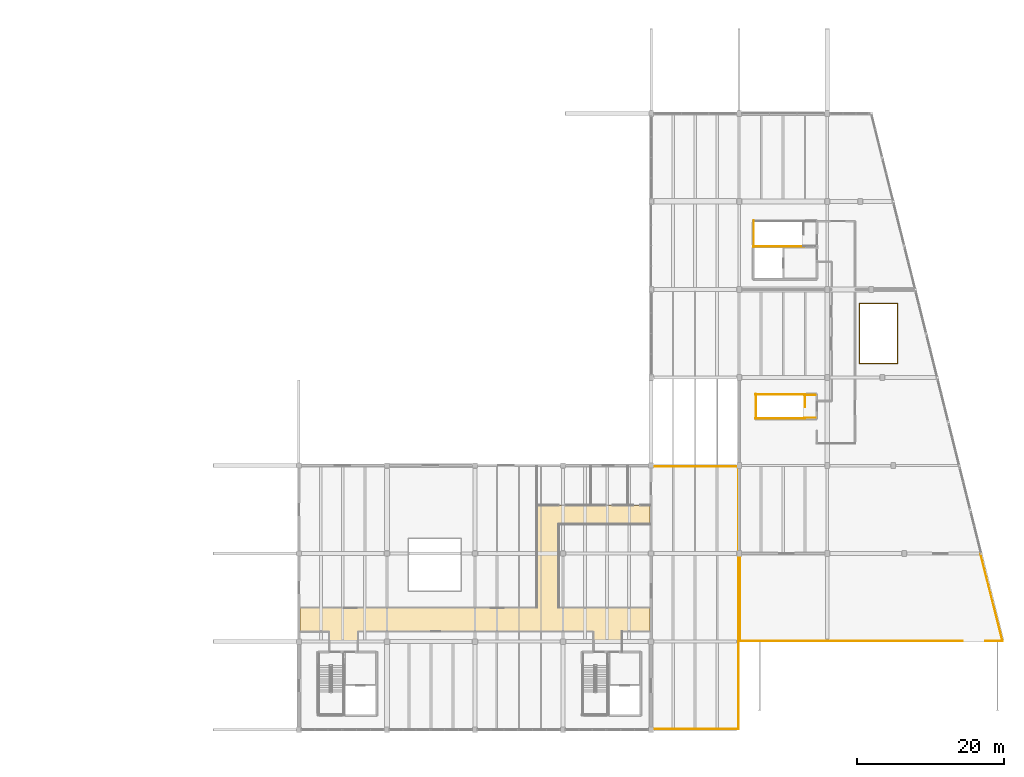
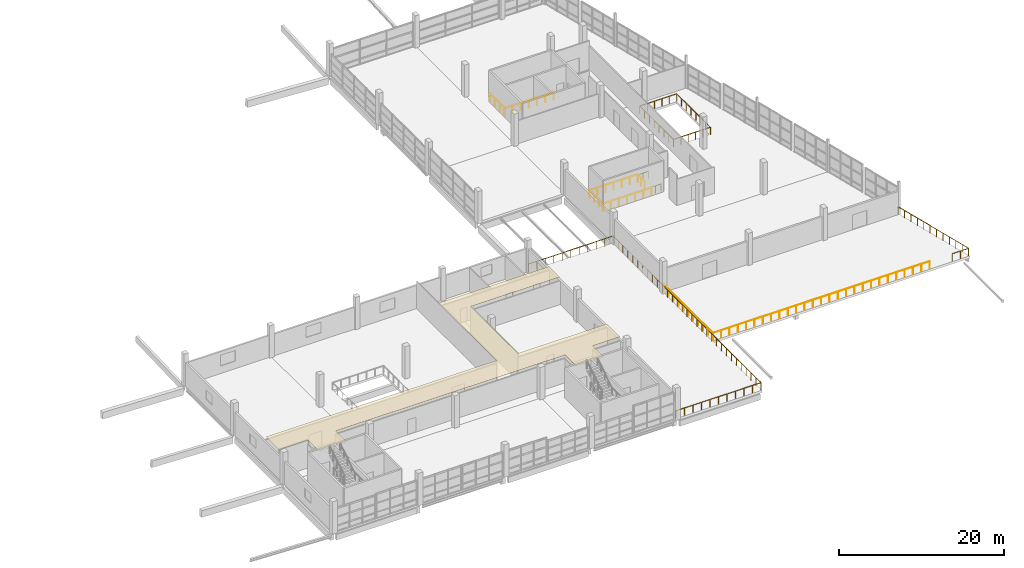
# One storey, part 48 of 49: 12 railings, 1 covering.
"""IFC4 building model written with IfcOpenShell, lengths in metres."""

from ifc_helpers import new_model, si_unit, direction, frame, origin, origin_2d, place, context, subcontext, project, spatial, polyline, circle, outline, extrude, material, layer, layer_set, type_object, element, save


model = new_model("IFC4")

# Units and contexts
model_context = context("Model", 3, precision=1e-05, world=origin(), true_north=direction((0.0, 1.0)))
body_context = subcontext(model_context, "Body", "Model", "MODEL_VIEW")
ifc_project = project(units=[si_unit("LENGTHUNIT", "METRE"), si_unit("AREAUNIT", "SQUARE_METRE"), si_unit("VOLUMEUNIT", "CUBIC_METRE"), si_unit("PLANEANGLEUNIT", "RADIAN"), si_unit("MASSUNIT", "GRAM", prefix="KILO")], contexts=[model_context])

# Site, building, storey
site_placement = place(None, origin())
site = spatial("IfcSite", under=ifc_project, at=site_placement, CompositionType="ELEMENT")
building_placement = place(site_placement, origin())
building = spatial("IfcBuilding", under=site, at=building_placement, Name="Kamomehara Wholesale Market", CompositionType="ELEMENT")
storey_placement = place(building_placement, frame((0.0, 0.0, 11.39990234375)))
storey = spatial("IfcBuildingStorey", under=building, at=storey_placement, Name="L02", CompositionType="ELEMENT", Elevation=11.39990234375)

# Covering
ifc_material_1 = material(Name="Acoustic mineral ceiling tile")
ifc_layer = layer(ifc_material_1, 0.034912109375)
ifc_layer_set = layer_set([ifc_layer], Name="Acoustic mineral ceiling tile")
covering_type = type_object("IfcCoveringType", Name="COV-CEIL-02", PredefinedType="CEILING", material=ifc_layer_set)
covering_placement = place(storey_placement, frame((0.0, 0.0, 4.0)))
element("IfcCovering", 1, at=covering_placement, inside=storey, type_object=covering_type, Name="Acoustic ceiling L02-04", PredefinedType="CEILING", context=body_context, shape_type="SweptSolid", body=[
    extrude(outline(polyline([(148.157958984375, 25.406005859375), (148.156982421875, 25.406982421875), (148.156005859375, 25.407958984375), (148.156005859375, 25.407958984375), (148.155029296875, 25.408935546875), (148.154052734375, 25.408935546875), (148.153076171875, 25.409912109375), (148.152099609375, 25.409912109375), (148.15087890625, 25.409912109375), (148.14990234375, 25.409912109375), (116.050048828125, 25.409912109375), (116.049072265625, 25.409912109375), (116.048095703125, 25.409912109375), (116.047119140625, 25.409912109375), (116.0458984375, 25.408935546875), (116.044921875, 25.408935546875), (116.0439453125, 25.407958984375), (116.0439453125, 25.407958984375), (116.04296875, 25.406982421875), (116.0419921875, 25.406005859375), (116.0419921875, 25.406005859375), (116.041015625, 25.405029296875), (116.041015625, 25.404052734375), (116.0400390625, 25.403076171875), (116.0400390625, 25.402099609375), (116.0400390625, 25.40087890625), (116.0400390625, 25.39990234375), (116.0400390625, 22.739990234375), (112.159912109375, 22.739990234375), (112.159912109375, 25.39990234375), (112.159912109375, 25.40087890625), (112.159912109375, 25.402099609375), (112.159912109375, 25.403076171875), (112.158935546875, 25.404052734375), (112.158935546875, 25.405029296875), (112.157958984375, 25.406005859375), (112.157958984375, 25.406005859375), (112.156982421875, 25.406982421875), (112.156005859375, 25.407958984375), (112.156005859375, 25.407958984375), (112.155029296875, 25.408935546875), (112.154052734375, 25.408935546875), (112.153076171875, 25.409912109375), (112.152099609375, 25.409912109375), (112.15087890625, 25.409912109375), (112.14990234375, 25.409912109375), (108.1298828125, 25.409912109375), (108.1298828125, 28.590087890625), (140.39990234375, 28.590087890625), (140.40087890625, 28.590087890625), (140.402099609375, 28.590087890625), (140.403076171875, 28.590087890625), (140.404052734375, 28.591064453125), (140.405029296875, 28.591064453125), (140.406005859375, 28.592041015625), (140.406005859375, 28.592041015625), (140.406982421875, 28.593017578125), (140.407958984375, 28.593994140625), (140.407958984375, 28.593994140625), (140.408935546875, 28.594970703125), (140.408935546875, 28.595947265625), (140.409912109375, 28.596923828125), (140.409912109375, 28.597900390625), (140.409912109375, 28.59912109375), (140.409912109375, 28.60009765625), (140.409912109375, 42.590087890625), (155.8701171875, 42.590087890625), (155.8701171875, 40.010009765625), (143.39990234375, 40.010009765625), (143.39892578125, 40.010009765625), (143.39794921875, 40.010009765625), (143.39697265625, 40.010009765625), (143.39599609375, 40.009033203125), (143.39501953125, 40.009033203125), (143.39404296875, 40.008056640625), (143.39404296875, 40.008056640625), (143.39306640625, 40.007080078125), (143.39208984375, 40.006103515625), (143.39208984375, 40.006103515625), (143.39111328125, 40.0048828125), (143.39111328125, 40.00390625), (143.389892578125, 40.0029296875), (143.389892578125, 40.001953125), (143.389892578125, 40.0009765625), (143.389892578125, 40.0), (143.389892578125, 28.60009765625), (143.389892578125, 28.59912109375), (143.389892578125, 28.597900390625), (143.389892578125, 28.596923828125), (143.39111328125, 28.595947265625), (143.39111328125, 28.594970703125), (143.39208984375, 28.593994140625), (143.39208984375, 28.593994140625), (143.39306640625, 28.593017578125), (143.39404296875, 28.592041015625), (143.39404296875, 28.592041015625), (143.39501953125, 28.591064453125), (143.39599609375, 28.591064453125), (143.39697265625, 28.590087890625), (143.39794921875, 28.590087890625), (143.39892578125, 28.590087890625), (143.39990234375, 28.590087890625), (155.8701171875, 28.590087890625), (155.8701171875, 25.409912109375), (152.050048828125, 25.409912109375), (152.049072265625, 25.409912109375), (152.048095703125, 25.409912109375), (152.047119140625, 25.409912109375), (152.0458984375, 25.408935546875), (152.044921875, 25.408935546875), (152.0439453125, 25.407958984375), (152.0439453125, 25.407958984375), (152.04296875, 25.406982421875), (152.0419921875, 25.406005859375), (152.0419921875, 25.406005859375), (152.041015625, 25.405029296875), (152.041015625, 25.404052734375), (152.0400390625, 25.403076171875), (152.0400390625, 25.402099609375), (152.0400390625, 25.40087890625), (152.0400390625, 25.39990234375), (152.0400390625, 22.739990234375), (148.159912109375, 22.739990234375), (148.159912109375, 25.39990234375), (148.159912109375, 25.40087890625), (148.159912109375, 25.402099609375), (148.159912109375, 25.403076171875), (148.158935546875, 25.404052734375), (148.158935546875, 25.405029296875), (148.157958984375, 25.406005859375), (148.157958984375, 25.406005859375)])), origin(), (0.0, 0.0, 1.0), 0.025146484375),
])

# Railings
ifc_material_2 = material(Name="Steel SN400B", Category="steel")
railing_type_1 = type_object("IfcRailingType", Name="RAL-EXT-1100", PredefinedType="BALUSTRADE", material=ifc_material_2)
railing_1_placement = place(storey_placement, frame((156.0, 12.10009765625, 0.0)))
element("IfcRailing", 2, at=railing_1_placement, inside=storey, type_object=railing_type_1, Name="Terrace guard OSLB-L02-TER2 5", PredefinedType="BALUSTRADE", context=body_context, shape_type="SweptSolid", body=[
    extrude(circle(Radius=0.02392578125, at=origin_2d()), frame((0.0, 0.0, 1.09619140625), z_axis=(1.0, 0.0, 0.0), x_axis=(0.0, 1.0, 0.0)), (0.0, 0.0, 1.0), 11.89990234375),
    extrude(circle(Radius=0.02392578125, at=origin_2d()), frame((11.89990234375, 0.0, 1.09619140625), z_axis=(0.0, 1.0, 0.0), x_axis=(-1.0, 0.0, 0.0)), (0.0, 0.0, 1.0), 35.7998046875),
    extrude(circle(Radius=0.02392578125, at=origin_2d()), frame((11.89990234375, 35.7998046875, 1.09619140625), z_axis=(-1.0, 0.0, 0.0), x_axis=(0.0, -1.0, 0.0)), (0.0, 0.0, 1.0), 11.89990234375),
    extrude(circle(Radius=0.02099609375, at=origin_2d()), origin(), (0.0, 0.0, 1.0), 1.072021484375),
    extrude(circle(Radius=0.02099609375, at=origin_2d()), frame((1.18994140625, 0.0, 0.0)), (0.0, 0.0, 1.0), 1.072021484375),
    extrude(circle(Radius=0.02099609375, at=origin_2d()), frame((2.3798828125, 0.0, 0.0)), (0.0, 0.0, 1.0), 1.072021484375),
    extrude(circle(Radius=0.02099609375, at=origin_2d()), frame((3.570068359375, 0.0, 0.0)), (0.0, 0.0, 1.0), 1.072021484375),
    extrude(circle(Radius=0.02099609375, at=origin_2d()), frame((4.760009765625, 0.0, 0.0)), (0.0, 0.0, 1.0), 1.072021484375),
    extrude(circle(Radius=0.02099609375, at=origin_2d()), frame((5.949951171875, 0.0, 0.0)), (0.0, 0.0, 1.0), 1.072021484375),
    extrude(circle(Radius=0.02099609375, at=origin_2d()), frame((7.139892578125, 0.0, 0.0)), (0.0, 0.0, 1.0), 1.072021484375),
    extrude(circle(Radius=0.02099609375, at=origin_2d()), frame((8.329833984375, 0.0, 0.0)), (0.0, 0.0, 1.0), 1.072021484375),
    extrude(circle(Radius=0.02099609375, at=origin_2d()), frame((9.52001953125, 0.0, 0.0)), (0.0, 0.0, 1.0), 1.072021484375),
    extrude(circle(Radius=0.02099609375, at=origin_2d()), frame((10.7099609375, 0.0, 0.0)), (0.0, 0.0, 1.0), 1.072021484375),
    extrude(circle(Radius=0.02099609375, at=origin_2d()), frame((11.89990234375, 0.0, 0.0)), (0.0, 0.0, 1.0), 1.072021484375),
    extrude(circle(Radius=0.02099609375, at=origin_2d()), frame((11.89990234375, 1.193359375, 0.0)), (0.0, 0.0, 1.0), 1.072021484375),
    extrude(circle(Radius=0.02099609375, at=origin_2d()), frame((11.89990234375, 2.38671875, 0.0)), (0.0, 0.0, 1.0), 1.072021484375),
    extrude(circle(Radius=0.02099609375, at=origin_2d()), frame((11.89990234375, 3.580078125, 0.0)), (0.0, 0.0, 1.0), 1.072021484375),
    extrude(circle(Radius=0.02099609375, at=origin_2d()), frame((11.89990234375, 4.773193359375, 0.0)), (0.0, 0.0, 1.0), 1.072021484375),
    extrude(circle(Radius=0.02099609375, at=origin_2d()), frame((11.89990234375, 5.966552734375, 0.0)), (0.0, 0.0, 1.0), 1.072021484375),
    extrude(circle(Radius=0.02099609375, at=origin_2d()), frame((11.89990234375, 7.159912109375, 0.0)), (0.0, 0.0, 1.0), 1.072021484375),
    extrude(circle(Radius=0.02099609375, at=origin_2d()), frame((11.89990234375, 8.353271484375, 0.0)), (0.0, 0.0, 1.0), 1.072021484375),
    extrude(circle(Radius=0.02099609375, at=origin_2d()), frame((11.89990234375, 9.546630859375, 0.0)), (0.0, 0.0, 1.0), 1.072021484375),
    extrude(circle(Radius=0.02099609375, at=origin_2d()), frame((11.89990234375, 10.739990234375, 0.0)), (0.0, 0.0, 1.0), 1.072021484375),
    extrude(circle(Radius=0.02099609375, at=origin_2d()), frame((11.89990234375, 11.933349609375, 0.0)), (0.0, 0.0, 1.0), 1.072021484375),
    extrude(circle(Radius=0.02099609375, at=origin_2d()), frame((11.89990234375, 13.126708984375, 0.0)), (0.0, 0.0, 1.0), 1.072021484375),
    extrude(circle(Radius=0.02099609375, at=origin_2d()), frame((11.89990234375, 14.31982421875, 0.0)), (0.0, 0.0, 1.0), 1.072021484375),
    extrude(circle(Radius=0.02099609375, at=origin_2d()), frame((11.89990234375, 15.51318359375, 0.0)), (0.0, 0.0, 1.0), 1.072021484375),
    extrude(circle(Radius=0.02099609375, at=origin_2d()), frame((11.89990234375, 16.70654296875, 0.0)), (0.0, 0.0, 1.0), 1.072021484375),
    extrude(circle(Radius=0.02099609375, at=origin_2d()), frame((11.89990234375, 17.89990234375, 0.0)), (0.0, 0.0, 1.0), 1.072021484375),
    extrude(circle(Radius=0.02099609375, at=origin_2d()), frame((11.89990234375, 19.09326171875, 0.0)), (0.0, 0.0, 1.0), 1.072021484375),
    extrude(circle(Radius=0.02099609375, at=origin_2d()), frame((11.89990234375, 20.28662109375, 0.0)), (0.0, 0.0, 1.0), 1.072021484375),
    extrude(circle(Radius=0.02099609375, at=origin_2d()), frame((11.89990234375, 21.47998046875, 0.0)), (0.0, 0.0, 1.0), 1.072021484375),
    extrude(circle(Radius=0.02099609375, at=origin_2d()), frame((11.89990234375, 22.673095703125, 0.0)), (0.0, 0.0, 1.0), 1.072021484375),
    extrude(circle(Radius=0.02099609375, at=origin_2d()), frame((11.89990234375, 23.866455078125, 0.0)), (0.0, 0.0, 1.0), 1.072021484375),
    extrude(circle(Radius=0.02099609375, at=origin_2d()), frame((11.89990234375, 25.059814453125, 0.0)), (0.0, 0.0, 1.0), 1.072021484375),
    extrude(circle(Radius=0.02099609375, at=origin_2d()), frame((11.89990234375, 26.253173828125, 0.0)), (0.0, 0.0, 1.0), 1.072021484375),
    extrude(circle(Radius=0.02099609375, at=origin_2d()), frame((11.89990234375, 27.446533203125, 0.0)), (0.0, 0.0, 1.0), 1.072021484375),
    extrude(circle(Radius=0.02099609375, at=origin_2d()), frame((11.89990234375, 28.639892578125, 0.0)), (0.0, 0.0, 1.0), 1.072021484375),
    extrude(circle(Radius=0.02099609375, at=origin_2d()), frame((11.89990234375, 29.833251953125, 0.0)), (0.0, 0.0, 1.0), 1.072021484375),
    extrude(circle(Radius=0.02099609375, at=origin_2d()), frame((11.89990234375, 31.026611328125, 0.0)), (0.0, 0.0, 1.0), 1.072021484375),
    extrude(circle(Radius=0.02099609375, at=origin_2d()), frame((11.89990234375, 32.2197265625, 0.0)), (0.0, 0.0, 1.0), 1.072021484375),
    extrude(circle(Radius=0.02099609375, at=origin_2d()), frame((11.89990234375, 33.4130859375, 0.0)), (0.0, 0.0, 1.0), 1.072021484375),
    extrude(circle(Radius=0.02099609375, at=origin_2d()), frame((11.89990234375, 34.6064453125, 0.0)), (0.0, 0.0, 1.0), 1.072021484375),
    extrude(circle(Radius=0.02099609375, at=origin_2d()), frame((11.89990234375, 35.7998046875, 0.0)), (0.0, 0.0, 1.0), 1.072021484375),
    extrude(circle(Radius=0.02099609375, at=origin_2d()), frame((10.7099609375, 35.7998046875, 0.0)), (0.0, 0.0, 1.0), 1.072021484375),
    extrude(circle(Radius=0.02099609375, at=origin_2d()), frame((9.52001953125, 35.7998046875, 0.0)), (0.0, 0.0, 1.0), 1.072021484375),
    extrude(circle(Radius=0.02099609375, at=origin_2d()), frame((8.329833984375, 35.7998046875, 0.0)), (0.0, 0.0, 1.0), 1.072021484375),
    extrude(circle(Radius=0.02099609375, at=origin_2d()), frame((7.139892578125, 35.7998046875, 0.0)), (0.0, 0.0, 1.0), 1.072021484375),
    extrude(circle(Radius=0.02099609375, at=origin_2d()), frame((5.949951171875, 35.7998046875, 0.0)), (0.0, 0.0, 1.0), 1.072021484375),
    extrude(circle(Radius=0.02099609375, at=origin_2d()), frame((4.760009765625, 35.7998046875, 0.0)), (0.0, 0.0, 1.0), 1.072021484375),
    extrude(circle(Radius=0.02099609375, at=origin_2d()), frame((3.570068359375, 35.7998046875, 0.0)), (0.0, 0.0, 1.0), 1.072021484375),
    extrude(circle(Radius=0.02099609375, at=origin_2d()), frame((2.3798828125, 35.7998046875, 0.0)), (0.0, 0.0, 1.0), 1.072021484375),
    extrude(circle(Radius=0.02099609375, at=origin_2d()), frame((1.18994140625, 35.7998046875, 0.0)), (0.0, 0.0, 1.0), 1.072021484375),
    extrude(circle(Radius=0.02099609375, at=origin_2d()), frame((0.0, 35.7998046875, 0.0)), (0.0, 0.0, 1.0), 1.072021484375),
])
railing_2_placement = place(storey_placement, frame((168.10009765625, 36.0, 0.0)))
element("IfcRailing", 3, at=railing_2_placement, inside=storey, type_object=railing_type_1, Name="Terrace guard OSLB-L02-DECK 6", PredefinedType="BALUSTRADE", context=body_context, shape_type="SweptSolid", body=[
    extrude(circle(Radius=0.02392578125, at=origin_2d()), frame((0.0, 0.0, 1.09619140625), z_axis=(0.0, -1.0, 0.0), x_axis=(1.0, 0.0, 0.0)), (0.0, 0.0, 1.0), 11.89990234375),
    extrude(circle(Radius=0.02392578125, at=origin_2d()), frame((0.0, -11.89990234375, 1.09619140625), z_axis=(1.0, 0.0, 0.0), x_axis=(0.0, 1.0, 0.0)), (0.0, 0.0, 1.0), 30.349853515625),
    extrude(circle(Radius=0.02099609375, at=origin_2d()), origin(), (0.0, 0.0, 1.0), 1.072021484375),
    extrude(circle(Radius=0.02099609375, at=origin_2d()), frame((0.0, -1.18994140625, 0.0)), (0.0, 0.0, 1.0), 1.072021484375),
    extrude(circle(Radius=0.02099609375, at=origin_2d()), frame((0.0, -2.3798828125, 0.0)), (0.0, 0.0, 1.0), 1.072021484375),
    extrude(circle(Radius=0.02099609375, at=origin_2d()), frame((0.0, -3.570068359375, 0.0)), (0.0, 0.0, 1.0), 1.072021484375),
    extrude(circle(Radius=0.02099609375, at=origin_2d()), frame((0.0, -4.760009765625, 0.0)), (0.0, 0.0, 1.0), 1.072021484375),
    extrude(circle(Radius=0.02099609375, at=origin_2d()), frame((0.0, -5.949951171875, 0.0)), (0.0, 0.0, 1.0), 1.072021484375),
    extrude(circle(Radius=0.02099609375, at=origin_2d()), frame((0.0, -7.139892578125, 0.0)), (0.0, 0.0, 1.0), 1.072021484375),
    extrude(circle(Radius=0.02099609375, at=origin_2d()), frame((0.0, -8.329833984375, 0.0)), (0.0, 0.0, 1.0), 1.072021484375),
    extrude(circle(Radius=0.02099609375, at=origin_2d()), frame((0.0, -9.52001953125, 0.0)), (0.0, 0.0, 1.0), 1.072021484375),
    extrude(circle(Radius=0.02099609375, at=origin_2d()), frame((0.0, -10.7099609375, 0.0)), (0.0, 0.0, 1.0), 1.072021484375),
    extrude(circle(Radius=0.02099609375, at=origin_2d()), frame((0.0, -11.89990234375, 0.0)), (0.0, 0.0, 1.0), 1.072021484375),
    extrude(circle(Radius=0.02099609375, at=origin_2d()), frame((1.167236328125, -11.89990234375, 0.0)), (0.0, 0.0, 1.0), 1.072021484375),
    extrude(circle(Radius=0.02099609375, at=origin_2d()), frame((2.334716796875, -11.89990234375, 0.0)), (0.0, 0.0, 1.0), 1.072021484375),
    extrude(circle(Radius=0.02099609375, at=origin_2d()), frame((3.501953125, -11.89990234375, 0.0)), (0.0, 0.0, 1.0), 1.072021484375),
    extrude(circle(Radius=0.02099609375, at=origin_2d()), frame((4.669189453125, -11.89990234375, 0.0)), (0.0, 0.0, 1.0), 1.072021484375),
    extrude(circle(Radius=0.02099609375, at=origin_2d()), frame((5.83642578125, -11.89990234375, 0.0)), (0.0, 0.0, 1.0), 1.072021484375),
    extrude(circle(Radius=0.02099609375, at=origin_2d()), frame((7.00390625, -11.89990234375, 0.0)), (0.0, 0.0, 1.0), 1.072021484375),
    extrude(circle(Radius=0.02099609375, at=origin_2d()), frame((8.171142578125, -11.89990234375, 0.0)), (0.0, 0.0, 1.0), 1.072021484375),
    extrude(circle(Radius=0.02099609375, at=origin_2d()), frame((9.33837890625, -11.89990234375, 0.0)), (0.0, 0.0, 1.0), 1.072021484375),
    extrude(circle(Radius=0.02099609375, at=origin_2d()), frame((10.505615234375, -11.89990234375, 0.0)), (0.0, 0.0, 1.0), 1.072021484375),
    extrude(circle(Radius=0.02099609375, at=origin_2d()), frame((11.673095703125, -11.89990234375, 0.0)), (0.0, 0.0, 1.0), 1.072021484375),
    extrude(circle(Radius=0.02099609375, at=origin_2d()), frame((12.84033203125, -11.89990234375, 0.0)), (0.0, 0.0, 1.0), 1.072021484375),
    extrude(circle(Radius=0.02099609375, at=origin_2d()), frame((14.007568359375, -11.89990234375, 0.0)), (0.0, 0.0, 1.0), 1.072021484375),
    extrude(circle(Radius=0.02099609375, at=origin_2d()), frame((15.1748046875, -11.89990234375, 0.0)), (0.0, 0.0, 1.0), 1.072021484375),
    extrude(circle(Radius=0.02099609375, at=origin_2d()), frame((16.34228515625, -11.89990234375, 0.0)), (0.0, 0.0, 1.0), 1.072021484375),
    extrude(circle(Radius=0.02099609375, at=origin_2d()), frame((17.509521484375, -11.89990234375, 0.0)), (0.0, 0.0, 1.0), 1.072021484375),
    extrude(circle(Radius=0.02099609375, at=origin_2d()), frame((18.6767578125, -11.89990234375, 0.0)), (0.0, 0.0, 1.0), 1.072021484375),
    extrude(circle(Radius=0.02099609375, at=origin_2d()), frame((19.84423828125, -11.89990234375, 0.0)), (0.0, 0.0, 1.0), 1.072021484375),
    extrude(circle(Radius=0.02099609375, at=origin_2d()), frame((21.011474609375, -11.89990234375, 0.0)), (0.0, 0.0, 1.0), 1.072021484375),
    extrude(circle(Radius=0.02099609375, at=origin_2d()), frame((22.1787109375, -11.89990234375, 0.0)), (0.0, 0.0, 1.0), 1.072021484375),
    extrude(circle(Radius=0.02099609375, at=origin_2d()), frame((23.345947265625, -11.89990234375, 0.0)), (0.0, 0.0, 1.0), 1.072021484375),
    extrude(circle(Radius=0.02099609375, at=origin_2d()), frame((24.513427734375, -11.89990234375, 0.0)), (0.0, 0.0, 1.0), 1.072021484375),
    extrude(circle(Radius=0.02099609375, at=origin_2d()), frame((25.6806640625, -11.89990234375, 0.0)), (0.0, 0.0, 1.0), 1.072021484375),
    extrude(circle(Radius=0.02099609375, at=origin_2d()), frame((26.847900390625, -11.89990234375, 0.0)), (0.0, 0.0, 1.0), 1.072021484375),
    extrude(circle(Radius=0.02099609375, at=origin_2d()), frame((28.01513671875, -11.89990234375, 0.0)), (0.0, 0.0, 1.0), 1.072021484375),
    extrude(circle(Radius=0.02099609375, at=origin_2d()), frame((29.1826171875, -11.89990234375, 0.0)), (0.0, 0.0, 1.0), 1.072021484375),
    extrude(circle(Radius=0.02099609375, at=origin_2d()), frame((30.349853515625, -11.89990234375, 0.0)), (0.0, 0.0, 1.0), 1.072021484375),
])
railing_3_placement = place(storey_placement, frame((201.60009765625, 24.10009765625, 0.0)))
element("IfcRailing", 4, at=railing_3_placement, inside=storey, type_object=railing_type_1, Name="Terrace guard OSLB-L02-DECK 7", PredefinedType="BALUSTRADE", context=body_context, shape_type="SweptSolid", body=[
    extrude(circle(Radius=0.02392578125, at=origin_2d()), frame((0.0, 0.0, 1.09619140625), z_axis=(1.0, 0.0, 0.0), x_axis=(0.0, 1.0, 0.0)), (0.0, 0.0, 1.0), 2.2998046875),
    extrude(circle(Radius=0.02392578125, at=origin_2d()), frame((2.2998046875, 0.0, 1.09619140625), z_axis=(-0.244454311539, 0.969660811609, 0.0), x_axis=(-0.969660811609, -0.244454311539, 0.0)), (0.0, 0.0, 1.0), 12.272216796875),
    extrude(circle(Radius=0.02099609375, at=origin_2d()), origin(), (0.0, 0.0, 1.0), 1.072021484375),
    extrude(circle(Radius=0.02099609375, at=origin_2d()), frame((1.14990234375, 0.0, 0.0)), (0.0, 0.0, 1.0), 1.072021484375),
    extrude(circle(Radius=0.02099609375, at=origin_2d()), frame((2.2998046875, 0.0, 0.0)), (0.0, 0.0, 1.0), 1.072021484375),
    extrude(circle(Radius=0.02099609375, at=origin_2d()), frame((2.027099609375, 1.081787109375, 0.0)), (0.0, 0.0, 1.0), 1.072021484375),
    extrude(circle(Radius=0.02099609375, at=origin_2d()), frame((1.75439453125, 2.16357421875, 0.0)), (0.0, 0.0, 1.0), 1.072021484375),
    extrude(circle(Radius=0.02099609375, at=origin_2d()), frame((1.481689453125, 3.245361328125, 0.0)), (0.0, 0.0, 1.0), 1.072021484375),
    extrude(circle(Radius=0.02099609375, at=origin_2d()), frame((1.208984375, 4.3271484375, 0.0)), (0.0, 0.0, 1.0), 1.072021484375),
    extrude(circle(Radius=0.02099609375, at=origin_2d()), frame((0.936279296875, 5.408935546875, 0.0)), (0.0, 0.0, 1.0), 1.072021484375),
    extrude(circle(Radius=0.02099609375, at=origin_2d()), frame((0.663330078125, 6.490966796875, 0.0)), (0.0, 0.0, 1.0), 1.072021484375),
    extrude(circle(Radius=0.02099609375, at=origin_2d()), frame((0.390625, 7.57275390625, 0.0)), (0.0, 0.0, 1.0), 1.072021484375),
    extrude(circle(Radius=0.02099609375, at=origin_2d()), frame((0.117919921875, 8.654541015625, 0.0)), (0.0, 0.0, 1.0), 1.072021484375),
    extrude(circle(Radius=0.02099609375, at=origin_2d()), frame((-0.15478515625, 9.736328125, 0.0)), (0.0, 0.0, 1.0), 1.072021484375),
    extrude(circle(Radius=0.02099609375, at=origin_2d()), frame((-0.427490234375, 10.818115234375, 0.0)), (0.0, 0.0, 1.0), 1.072021484375),
    extrude(circle(Radius=0.02099609375, at=origin_2d()), frame((-0.7001953125, 11.89990234375, 0.0)), (0.0, 0.0, 1.0), 1.072021484375),
])
ifc_material_3 = material(Name="Steel SN400B", Category="steel")
railing_type_2 = type_object("IfcRailingType", Name="RAL-INT-1100", PredefinedType="BALUSTRADE", material=ifc_material_3)
railing_4_placement = place(storey_placement, frame((176.85009765625, 77.85009765625, 0.0)))
element("IfcRailing", 5, at=railing_4_placement, inside=storey, type_object=railing_type_2, Name="L02 ST-09 top well guard 3", PredefinedType="BALUSTRADE", context=body_context, shape_type="SweptSolid", body=[
    extrude(circle(Radius=0.02392578125, at=origin_2d()), frame((0.0, 0.0, 1.09619140625), z_axis=(-1.0, 0.0, 0.0), x_axis=(0.0, -1.0, 0.0)), (0.0, 0.0, 1.0), 6.900146484375),
    extrude(circle(Radius=0.02099609375, at=origin_2d()), origin(), (0.0, 0.0, 1.0), 1.072021484375),
    extrude(circle(Radius=0.02099609375, at=origin_2d()), frame((-1.14990234375, 0.0, 0.0)), (0.0, 0.0, 1.0), 1.072021484375),
    extrude(circle(Radius=0.02099609375, at=origin_2d()), frame((-2.300048828125, 0.0, 0.0)), (0.0, 0.0, 1.0), 1.072021484375),
    extrude(circle(Radius=0.02099609375, at=origin_2d()), frame((-3.4501953125, 0.0, 0.0)), (0.0, 0.0, 1.0), 1.072021484375),
    extrude(circle(Radius=0.02099609375, at=origin_2d()), frame((-4.60009765625, 0.0, 0.0)), (0.0, 0.0, 1.0), 1.072021484375),
    extrude(circle(Radius=0.02099609375, at=origin_2d()), frame((-5.75, 0.0, 0.0)), (0.0, 0.0, 1.0), 1.072021484375),
    extrude(circle(Radius=0.02099609375, at=origin_2d()), frame((-6.900146484375, 0.0, 0.0)), (0.0, 0.0, 1.0), 1.072021484375),
])
railing_5_placement = place(storey_placement, frame((170.0, 81.39990234375, 0.0)))
element("IfcRailing", 6, at=railing_5_placement, inside=storey, type_object=railing_type_2, Name="L02 ST-09 top well guard 4", PredefinedType="BALUSTRADE", context=body_context, shape_type="SweptSolid", body=[
    extrude(circle(Radius=0.02392578125, at=origin_2d()), frame((0.0, 0.0, 1.09619140625), z_axis=(0.0, -1.0, 0.0), x_axis=(1.0, 0.0, 0.0)), (0.0, 0.0, 1.0), 3.599853515625),
    extrude(circle(Radius=0.02099609375, at=origin_2d()), origin(), (0.0, 0.0, 1.0), 1.072021484375),
    extrude(circle(Radius=0.02099609375, at=origin_2d()), frame((0.0, -1.199951171875, 0.0)), (0.0, 0.0, 1.0), 1.072021484375),
    extrude(circle(Radius=0.02099609375, at=origin_2d()), frame((0.0, -2.39990234375, 0.0)), (0.0, 0.0, 1.0), 1.072021484375),
    extrude(circle(Radius=0.02099609375, at=origin_2d()), frame((0.0, -3.599853515625, 0.0)), (0.0, 0.0, 1.0), 1.072021484375),
])
railing_6_placement = place(storey_placement, frame((176.965087890625, 57.64990234375, 0.0)))
element("IfcRailing", 7, at=railing_6_placement, inside=storey, type_object=railing_type_2, Name="L02 ST-10 top well guard 1", PredefinedType="BALUSTRADE", context=body_context, shape_type="SweptSolid", body=[
    extrude(circle(Radius=0.02392578125, at=origin_2d()), frame((0.0, 0.0, 1.09619140625), z_axis=(0.0, -1.0, 0.0), x_axis=(1.0, 0.0, 0.0)), (0.0, 0.0, 1.0), 1.684814453125),
    extrude(circle(Radius=0.02099609375, at=origin_2d()), origin(), (0.0, 0.0, 1.0), 1.072021484375),
    extrude(circle(Radius=0.02099609375, at=origin_2d()), frame((0.0, -0.84228515625, 0.0)), (0.0, 0.0, 1.0), 1.072021484375),
    extrude(circle(Radius=0.02099609375, at=origin_2d()), frame((0.0, -1.684814453125, 0.0)), (0.0, 0.0, 1.0), 1.072021484375),
])
for number, where, name in (
    (8, (177.014892578125, 57.699951171875, 0.0), "L02 ST-10 top well guard 2"),
    (9, (177.014892578125, 54.429931640625, 0.0), "L02 ST-10 top well guard 3"),
):
    element("IfcRailing", number, at=place(storey_placement, frame(where)), inside=storey, type_object=railing_type_2, Name=name, PredefinedType="BALUSTRADE", context=body_context, shape_type="SweptSolid", body=[
        extrude(circle(Radius=0.02392578125, at=origin_2d()), frame((0.0, 0.0, 1.09619140625), z_axis=(-1.0, 0.0, 0.0), x_axis=(0.0, -1.0, 0.0)), (0.0, 0.0, 1.0), 6.784912109375),
        extrude(circle(Radius=0.02099609375, at=origin_2d()), origin(), (0.0, 0.0, 1.0), 1.072021484375),
        extrude(circle(Radius=0.02099609375, at=origin_2d()), frame((-1.130859375, 0.0, 0.0)), (0.0, 0.0, 1.0), 1.072021484375),
        extrude(circle(Radius=0.02099609375, at=origin_2d()), frame((-2.26171875, 0.0, 0.0)), (0.0, 0.0, 1.0), 1.072021484375),
        extrude(circle(Radius=0.02099609375, at=origin_2d()), frame((-3.392578125, 0.0, 0.0)), (0.0, 0.0, 1.0), 1.072021484375),
        extrude(circle(Radius=0.02099609375, at=origin_2d()), frame((-4.523193359375, 0.0, 0.0)), (0.0, 0.0, 1.0), 1.072021484375),
        extrude(circle(Radius=0.02099609375, at=origin_2d()), frame((-5.654052734375, 0.0, 0.0)), (0.0, 0.0, 1.0), 1.072021484375),
        extrude(circle(Radius=0.02099609375, at=origin_2d()), frame((-6.784912109375, 0.0, 0.0)), (0.0, 0.0, 1.0), 1.072021484375),
    ])
railing_7_placement = place(storey_placement, frame((170.280029296875, 57.75, 0.0)))
element("IfcRailing", 10, at=railing_7_placement, inside=storey, type_object=railing_type_2, Name="L02 ST-10 top well guard 4", PredefinedType="BALUSTRADE", context=body_context, shape_type="SweptSolid", body=[
    extrude(circle(Radius=0.02392578125, at=origin_2d()), frame((0.0, 0.0, 1.09619140625), z_axis=(0.0, -1.0, 0.0), x_axis=(1.0, 0.0, 0.0)), (0.0, 0.0, 1.0), 3.3701171875),
    extrude(circle(Radius=0.02099609375, at=origin_2d()), origin(), (0.0, 0.0, 1.0), 1.072021484375),
    extrude(circle(Radius=0.02099609375, at=origin_2d()), frame((0.0, -1.123291015625, 0.0)), (0.0, 0.0, 1.0), 1.072021484375),
    extrude(circle(Radius=0.02099609375, at=origin_2d()), frame((0.0, -2.246826171875, 0.0)), (0.0, 0.0, 1.0), 1.072021484375),
    extrude(circle(Radius=0.02099609375, at=origin_2d()), frame((0.0, -3.3701171875, 0.0)), (0.0, 0.0, 1.0), 1.072021484375),
])
for number, where, name in (
    (11, (178.39990234375, 57.60009765625, 0.0), "L02 ST-10 top well guard 5"),
    (12, (178.39990234375, 54.530029296875, 0.0), "L02 ST-10 top well guard 6"),
):
    element("IfcRailing", number, at=place(storey_placement, frame(where)), inside=storey, type_object=railing_type_2, Name=name, PredefinedType="BALUSTRADE", context=body_context, shape_type="SweptSolid", body=[
        extrude(circle(Radius=0.02392578125, at=origin_2d()), frame((0.0, 0.0, 1.09619140625), z_axis=(-1.0, 0.0, 0.0), x_axis=(0.0, -1.0, 0.0)), (0.0, 0.0, 1.0), 1.48486328125),
        extrude(circle(Radius=0.02099609375, at=origin_2d()), origin(), (0.0, 0.0, 1.0), 1.072021484375),
        extrude(circle(Radius=0.02099609375, at=origin_2d()), frame((-0.742431640625, 0.0, 0.0)), (0.0, 0.0, 1.0), 1.072021484375),
        extrude(circle(Radius=0.02099609375, at=origin_2d()), frame((-1.48486328125, 0.0, 0.0)), (0.0, 0.0, 1.0), 1.072021484375),
    ])
railing_8_placement = place(storey_placement, frame((189.580078125, 61.919921875, 0.0)))
element("IfcRailing", 13, at=railing_8_placement, inside=storey, type_object=railing_type_2, Name="Atrium void guard L02 7", PredefinedType="BALUSTRADE", context=body_context, shape_type="SweptSolid", body=[
    extrude(circle(Radius=0.02392578125, at=origin_2d()), frame((0.0, 0.0, 1.09619140625), z_axis=(-1.0, 0.0, 0.0), x_axis=(0.0, -1.0, 0.0)), (0.0, 0.0, 1.0), 5.16015625),
    extrude(circle(Radius=0.02392578125, at=origin_2d()), frame((-5.16015625, 0.0, 1.09619140625), z_axis=(0.0, 1.0, 0.0), x_axis=(-1.0, 0.0, 0.0)), (0.0, 0.0, 1.0), 8.16015625),
    extrude(circle(Radius=0.02392578125, at=origin_2d()), frame((-5.16015625, 8.16015625, 1.09619140625), z_axis=(1.0, 0.0, 0.0), x_axis=(0.0, 1.0, 0.0)), (0.0, 0.0, 1.0), 5.16015625),
    extrude(circle(Radius=0.02392578125, at=origin_2d()), frame((0.0, 8.16015625, 1.09619140625), z_axis=(0.0, -1.0, 0.0), x_axis=(1.0, 0.0, 0.0)), (0.0, 0.0, 1.0), 8.16015625),
    extrude(circle(Radius=0.02099609375, at=origin_2d()), origin(), (0.0, 0.0, 1.0), 1.072021484375),
    extrude(circle(Radius=0.02099609375, at=origin_2d()), frame((-1.031982421875, 0.0, 0.0)), (0.0, 0.0, 1.0), 1.072021484375),
    extrude(circle(Radius=0.02099609375, at=origin_2d()), frame((-2.06396484375, 0.0, 0.0)), (0.0, 0.0, 1.0), 1.072021484375),
    extrude(circle(Radius=0.02099609375, at=origin_2d()), frame((-3.09619140625, 0.0, 0.0)), (0.0, 0.0, 1.0), 1.072021484375),
    extrude(circle(Radius=0.02099609375, at=origin_2d()), frame((-4.128173828125, 0.0, 0.0)), (0.0, 0.0, 1.0), 1.072021484375),
    extrude(circle(Radius=0.02099609375, at=origin_2d()), frame((-5.16015625, 0.0, 0.0)), (0.0, 0.0, 1.0), 1.072021484375),
    extrude(circle(Radius=0.02099609375, at=origin_2d()), frame((-5.16015625, 1.165771484375, 0.0)), (0.0, 0.0, 1.0), 1.072021484375),
    extrude(circle(Radius=0.02099609375, at=origin_2d()), frame((-5.16015625, 2.33154296875, 0.0)), (0.0, 0.0, 1.0), 1.072021484375),
    extrude(circle(Radius=0.02099609375, at=origin_2d()), frame((-5.16015625, 3.497314453125, 0.0)), (0.0, 0.0, 1.0), 1.072021484375),
    extrude(circle(Radius=0.02099609375, at=origin_2d()), frame((-5.16015625, 4.662841796875, 0.0)), (0.0, 0.0, 1.0), 1.072021484375),
    extrude(circle(Radius=0.02099609375, at=origin_2d()), frame((-5.16015625, 5.82861328125, 0.0)), (0.0, 0.0, 1.0), 1.072021484375),
    extrude(circle(Radius=0.02099609375, at=origin_2d()), frame((-5.16015625, 6.994384765625, 0.0)), (0.0, 0.0, 1.0), 1.072021484375),
    extrude(circle(Radius=0.02099609375, at=origin_2d()), frame((-5.16015625, 8.16015625, 0.0)), (0.0, 0.0, 1.0), 1.072021484375),
    extrude(circle(Radius=0.02099609375, at=origin_2d()), frame((-4.128173828125, 8.16015625, 0.0)), (0.0, 0.0, 1.0), 1.072021484375),
    extrude(circle(Radius=0.02099609375, at=origin_2d()), frame((-3.09619140625, 8.16015625, 0.0)), (0.0, 0.0, 1.0), 1.072021484375),
    extrude(circle(Radius=0.02099609375, at=origin_2d()), frame((-2.06396484375, 8.16015625, 0.0)), (0.0, 0.0, 1.0), 1.072021484375),
    extrude(circle(Radius=0.02099609375, at=origin_2d()), frame((-1.031982421875, 8.16015625, 0.0)), (0.0, 0.0, 1.0), 1.072021484375),
    extrude(circle(Radius=0.02099609375, at=origin_2d()), frame((0.0, 8.16015625, 0.0)), (0.0, 0.0, 1.0), 1.072021484375),
    extrude(circle(Radius=0.02099609375, at=origin_2d()), frame((0.0, 6.994384765625, 0.0)), (0.0, 0.0, 1.0), 1.072021484375),
    extrude(circle(Radius=0.02099609375, at=origin_2d()), frame((0.0, 5.82861328125, 0.0)), (0.0, 0.0, 1.0), 1.072021484375),
    extrude(circle(Radius=0.02099609375, at=origin_2d()), frame((0.0, 4.662841796875, 0.0)), (0.0, 0.0, 1.0), 1.072021484375),
    extrude(circle(Radius=0.02099609375, at=origin_2d()), frame((0.0, 3.497314453125, 0.0)), (0.0, 0.0, 1.0), 1.072021484375),
    extrude(circle(Radius=0.02099609375, at=origin_2d()), frame((0.0, 2.33154296875, 0.0)), (0.0, 0.0, 1.0), 1.072021484375),
    extrude(circle(Radius=0.02099609375, at=origin_2d()), frame((0.0, 1.165771484375, 0.0)), (0.0, 0.0, 1.0), 1.072021484375),
])

save(model, "model.ifc")
